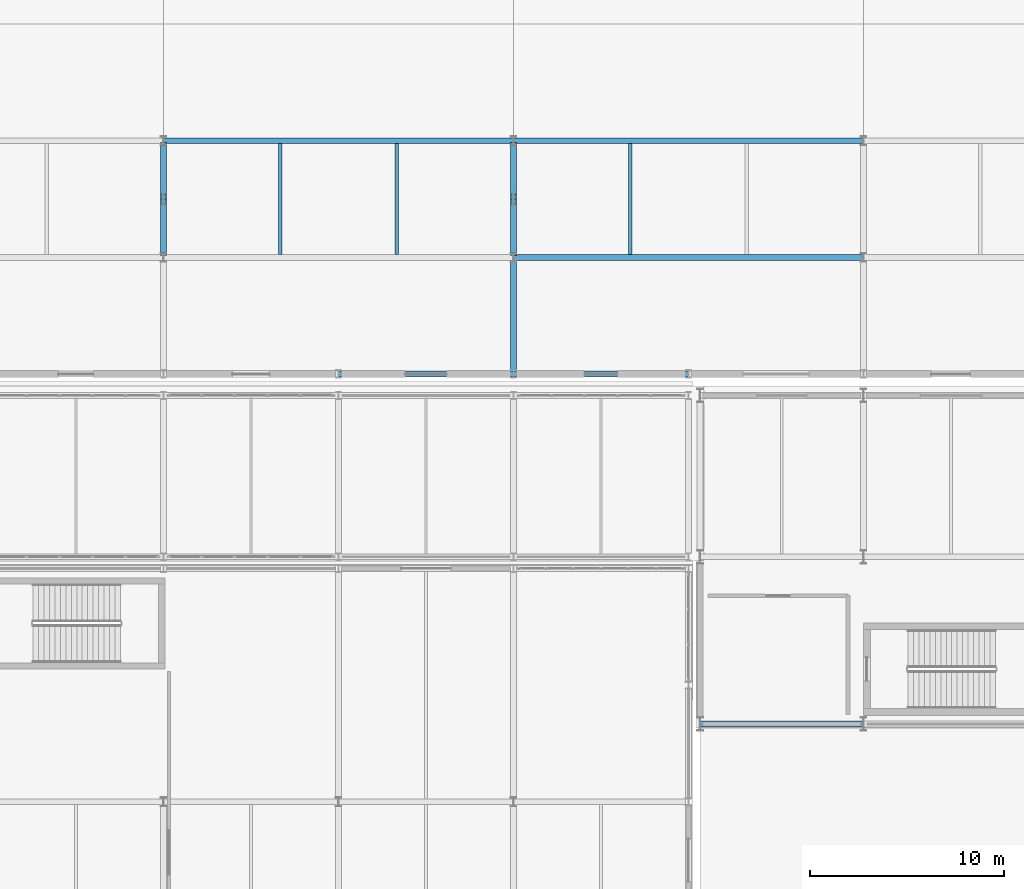
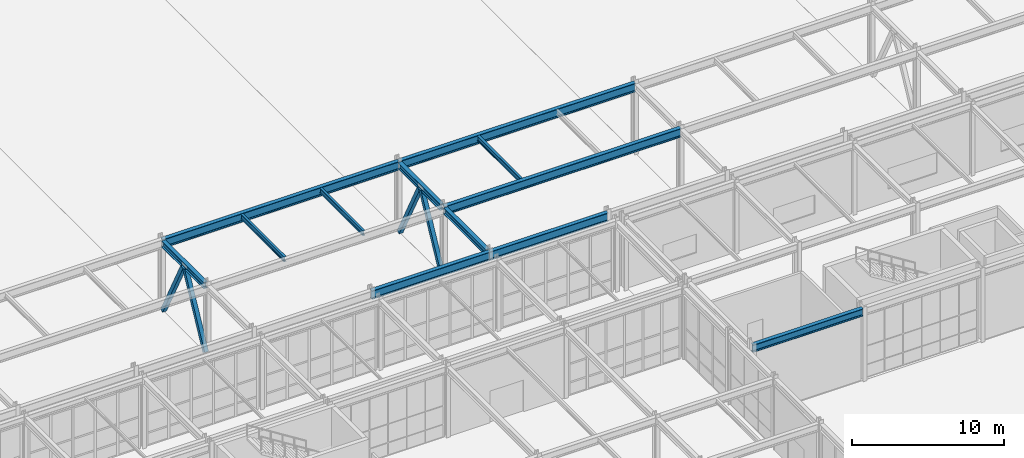
# One storey, part 57 of 146: 12 beams, 4 members.
"""IFC4 building model written with IfcOpenShell, lengths in metres."""

from ifc_helpers import new_model, si_unit, direction, frame, origin, origin_2d, place, context, subcontext, project, spatial, hollow_rectangle, i_section, extrude, material, material_profile, profile_set, type_object, element, save


model = new_model("IFC4")

# Units and contexts
model_context = context("Model", 3, precision=1e-05, world=origin(), true_north=direction((0.0, 1.0)))
body_context = subcontext(model_context, "Body", "Model", "MODEL_VIEW")
ifc_project = project(units=[si_unit("LENGTHUNIT", "METRE"), si_unit("AREAUNIT", "SQUARE_METRE"), si_unit("VOLUMEUNIT", "CUBIC_METRE"), si_unit("PLANEANGLEUNIT", "RADIAN"), si_unit("MASSUNIT", "GRAM", prefix="KILO")], contexts=[model_context])

# Site, building, storey
site_placement = place(None, origin())
site = spatial("IfcSite", under=ifc_project, at=site_placement, CompositionType="ELEMENT")
building_placement = place(site_placement, origin())
building = spatial("IfcBuilding", under=site, at=building_placement, Name="Kaldris Quays Convention Centre", CompositionType="ELEMENT")
storey_placement = place(building_placement, origin())
storey = spatial("IfcBuildingStorey", under=building, at=storey_placement, Name="L00", CompositionType="ELEMENT", Elevation=0.0)

# Beams
ifc_material_1 = material(Name="Steel S355J2", Category="steel")
ifc_material_profile_1 = material_profile(ifc_material_1, i_section(OverallWidth=0.300048828125, OverallDepth=0.699951171875, WebThickness=0.01708984375, FlangeThickness=0.031982421875, FilletRadius=0.027099609375, at=origin_2d()), Name="HEB 700")
ifc_profile_set_1 = profile_set([ifc_material_profile_1], Name="Steel S355J2")
beam_type_1 = type_object("IfcBeamType", Name="STRUCTURAL BEAM BM04", PredefinedType="BEAM", material=ifc_profile_set_1)
for number, where, z_axis, x_axis, name in (
    (1, (65.00439453125, 56.0, 5.3330078125), (1.0, 0.0, 0.0), (0.0, 1.0, 0.0), "L00 Girder BM04 6"),
    (2, (74.00439453125, 56.0, 5.3330078125), (1.0, 0.0, 0.0), (0.0, 1.0, 0.0), "L00 Girder BM04 7"),
):
    element("IfcBeam", number, at=place(storey_placement, frame(where, z_axis=z_axis, x_axis=x_axis)), inside=storey, type_object=beam_type_1, Name=name, PredefinedType="BEAM", context=body_context, shape_type="SweptSolid", body=[
        extrude(i_section(OverallWidth=0.300048828125, OverallDepth=0.699951171875, WebThickness=0.01708984375, FlangeThickness=0.031982421875, FilletRadius=0.027099609375, at=origin_2d()), origin(), (0.0, 0.0, 1.0), 8.9912109375),
    ])
for number, where, z_axis, x_axis, name in (
    (3, (74.0009765625, 62.0, 5.3330078125), (1.0, 0.0, 0.0), (0.0, 1.0, 0.0), "L00 Girder BM04 18"),
    (4, (56.0009765625, 68.0, 5.3330078125), (1.0, 0.0, 0.0), (0.0, 1.0, 0.0), "L00 Girder BM04 24"),
    (5, (74.0009765625, 68.0, 5.3330078125), (1.0, 0.0, 0.0), (0.0, 1.0, 0.0), "L00 Girder BM04 25"),
):
    element("IfcBeam", number, at=place(storey_placement, frame(where, z_axis=z_axis, x_axis=x_axis)), inside=storey, type_object=beam_type_1, Name=name, PredefinedType="BEAM", context=body_context, shape_type="SweptSolid", body=[
        extrude(i_section(OverallWidth=0.300048828125, OverallDepth=0.699951171875, WebThickness=0.01708984375, FlangeThickness=0.031982421875, FilletRadius=0.027099609375, at=origin_2d()), origin(), (0.0, 0.0, 1.0), 17.998046875),
    ])
ifc_material_profile_2 = material_profile(ifc_material_1, i_section(OverallWidth=0.300048828125, OverallDepth=0.60009765625, WebThickness=0.015380859375, FlangeThickness=0.030029296875, FilletRadius=0.027099609375, at=origin_2d()), Name="HEB 600")
ifc_profile_set_2 = profile_set([ifc_material_profile_2], Name="Steel S355J2")
beam_type_2 = type_object("IfcBeamType", Name="STRUCTURAL BEAM BM05", PredefinedType="BEAM", material=ifc_profile_set_2)
beam_1_placement = place(storey_placement, frame((83.6025390625, 38.0, 5.423095703125), z_axis=(1.0, 0.0, 0.0), x_axis=(0.0, 1.0, 0.0)))
element("IfcBeam", 6, at=beam_1_placement, inside=storey, type_object=beam_type_2, Name="L00 Girder BM05 1", PredefinedType="BEAM", context=body_context, shape_type="SweptSolid", body=[
    extrude(i_section(OverallWidth=0.300048828125, OverallDepth=0.60009765625, WebThickness=0.015380859375, FlangeThickness=0.030029296875, FilletRadius=0.027099609375, at=origin_2d()), origin(), (0.0, 0.0, 1.0), 8.39501953125),
])
ifc_material_profile_3 = material_profile(ifc_material_1, i_section(OverallWidth=0.300048828125, OverallDepth=0.5, WebThickness=0.014404296875, FlangeThickness=0.028076171875, FilletRadius=0.027099609375, at=origin_2d()), Name="HEB 500")
ifc_profile_set_3 = profile_set([ifc_material_profile_3], Name="Steel S355J2")
beam_type_3 = type_object("IfcBeamType", Name="STRUCTURAL BEAM BM06", PredefinedType="BEAM", material=ifc_profile_set_3)
beam_2_placement = place(storey_placement, frame((56.0, 62.218994140625, 5.43310546875), z_axis=(0.0, 1.0, 0.0), x_axis=(-1.0, 0.0, 0.0)))
element("IfcBeam", 7, at=beam_2_placement, inside=storey, type_object=beam_type_3, Name="L00 Girder BM06 57", PredefinedType="BEAM", context=body_context, shape_type="SweptSolid", body=[
    extrude(i_section(OverallWidth=0.300048828125, OverallDepth=0.5, WebThickness=0.014404296875, FlangeThickness=0.028076171875, FilletRadius=0.027099609375, at=origin_2d()), origin(), (0.0, 0.0, 1.0), 5.56201171875),
])
beam_3_placement = place(storey_placement, frame((74.0, 56.2099609375, 5.43310546875), z_axis=(0.0, 1.0, 0.0), x_axis=(-1.0, 0.0, 0.0)))
element("IfcBeam", 8, at=beam_3_placement, inside=storey, type_object=beam_type_3, Name="L00 Girder BM06 59", PredefinedType="BEAM", context=body_context, shape_type="SweptSolid", body=[
    extrude(i_section(OverallWidth=0.300048828125, OverallDepth=0.5, WebThickness=0.014404296875, FlangeThickness=0.028076171875, FilletRadius=0.027099609375, at=origin_2d()), origin(), (0.0, 0.0, 1.0), 5.571044921875),
])
beam_4_placement = place(storey_placement, frame((74.0, 62.218994140625, 5.43310546875), z_axis=(0.0, 1.0, 0.0), x_axis=(-1.0, 0.0, 0.0)))
element("IfcBeam", 9, at=beam_4_placement, inside=storey, type_object=beam_type_3, Name="L00 Girder BM06 60", PredefinedType="BEAM", context=body_context, shape_type="SweptSolid", body=[
    extrude(i_section(OverallWidth=0.300048828125, OverallDepth=0.5, WebThickness=0.014404296875, FlangeThickness=0.028076171875, FilletRadius=0.027099609375, at=origin_2d()), origin(), (0.0, 0.0, 1.0), 5.56201171875),
])
ifc_material_profile_4 = material_profile(ifc_material_1, i_section(OverallWidth=0.179931640625, OverallDepth=0.39990234375, WebThickness=0.008544921875, FlangeThickness=0.013427734375, FilletRadius=0.02099609375, at=origin_2d()), Name="IPE 400")
ifc_profile_set_4 = profile_set([ifc_material_profile_4], Name="Steel S355J2")
beam_type_4 = type_object("IfcBeamType", Name="STRUCTURAL BEAM JT02", PredefinedType="JOIST", material=ifc_profile_set_4)
for number, where, z_axis, x_axis, name in (
    (10, (62.0, 62.14404296875, 5.48291015625), (0.0, 1.0, 0.0), (-1.0, 0.0, 0.0), "L00 Secondary Joist JT02 5"),
    (11, (68.0, 62.14404296875, 5.48291015625), (0.0, 1.0, 0.0), (-1.0, 0.0, 0.0), "L00 Secondary Joist JT02 6"),
    (12, (80.0, 62.14404296875, 5.48291015625), (0.0, 1.0, 0.0), (-1.0, 0.0, 0.0), "L00 Secondary Joist JT02 7"),
):
    element("IfcBeam", number, at=place(storey_placement, frame(where, z_axis=z_axis, x_axis=x_axis)), inside=storey, type_object=beam_type_4, Name=name, PredefinedType="JOIST", context=body_context, shape_type="SweptSolid", body=[
        extrude(i_section(OverallWidth=0.179931640625, OverallDepth=0.39990234375, WebThickness=0.008544921875, FlangeThickness=0.013427734375, FilletRadius=0.02099609375, at=origin_2d()), origin(), (0.0, 0.0, 1.0), 5.7119140625),
    ])

# Members
ifc_material_2 = material(Name="Steel S355J2H", Category="steel")
ifc_material_profile_5 = material_profile(ifc_material_2, hollow_rectangle(XDim=0.300048828125, YDim=0.300048828125, WallThickness=0.012451171875, at=origin_2d()), Name="SHS 300x300x12.5")
ifc_profile_set_5 = profile_set([ifc_material_profile_5], Name="Steel S355J2H")
member_type = type_object("IfcMemberType", Name="STRUCTURAL MEMBER CB01", PredefinedType="BRACE", material=ifc_profile_set_5)
for number, where, z_axis, x_axis, name in (
    (13, (56.0, 62.219970703125, 0.080078125), (0.0, 0.461871891973, 0.88694664744), (-1.0, 0.0, 0.0), "L00 V1 Concentric Brace CB01 2A"),
    (14, (56.0, 67.780029296875, 0.080078125), (0.0, -0.461871891973, 0.88694664744), (1.0, 0.0, 0.0), "L00 V1 Concentric Brace CB01 2B"),
    (15, (74.0, 62.219970703125, 0.080078125), (0.0, 0.461871891973, 0.88694664744), (-1.0, 0.0, 0.0), "L00 V1 Concentric Brace CB01 3A"),
    (16, (74.0, 67.780029296875, 0.080078125), (0.0, -0.461871891973, 0.88694664744), (1.0, 0.0, 0.0), "L00 V1 Concentric Brace CB01 3B"),
):
    element("IfcMember", number, at=place(storey_placement, frame(where, z_axis=z_axis, x_axis=x_axis)), inside=storey, type_object=member_type, Name=name, PredefinedType="BRACE", context=body_context, shape_type="SweptSolid", body=[
        extrude(hollow_rectangle(XDim=0.300048828125, YDim=0.300048828125, WallThickness=0.012451171875, at=origin_2d()), origin(), (0.0, 0.0, 1.0), 5.759033203125),
    ])

save(model, "model.ifc")
